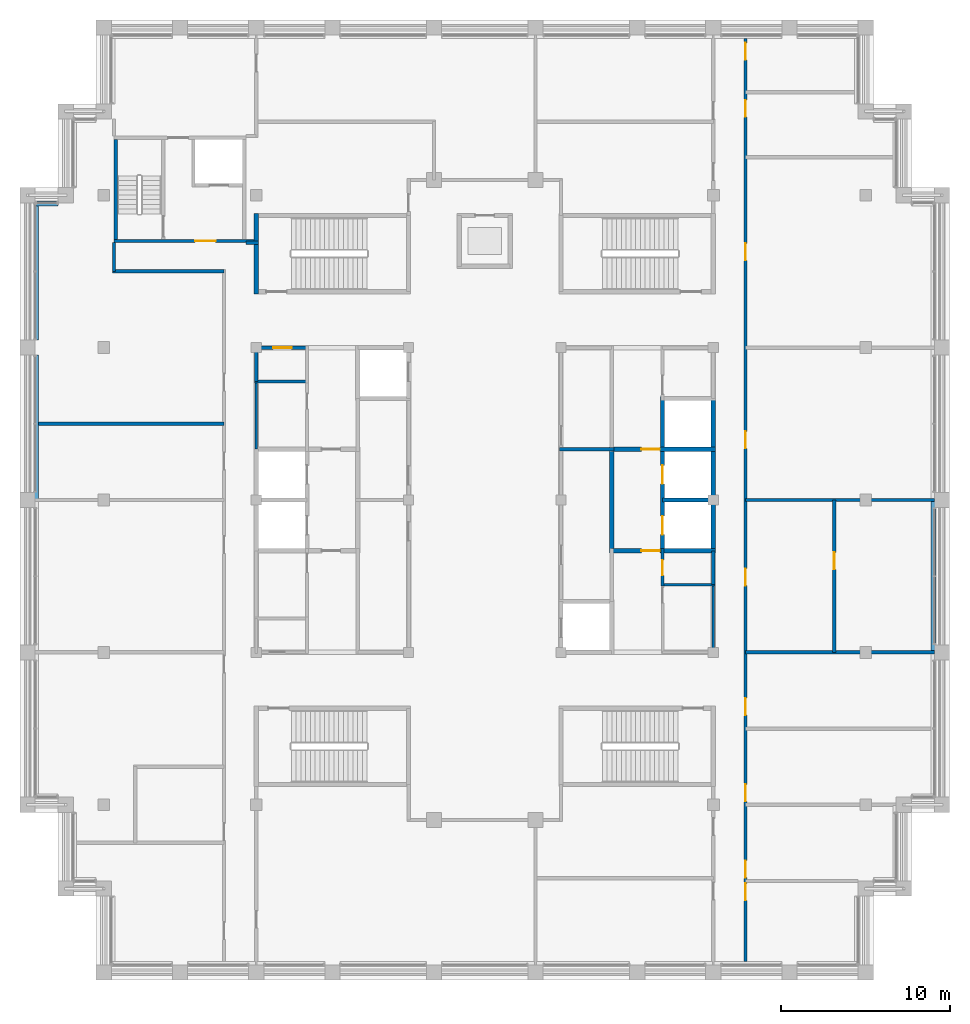
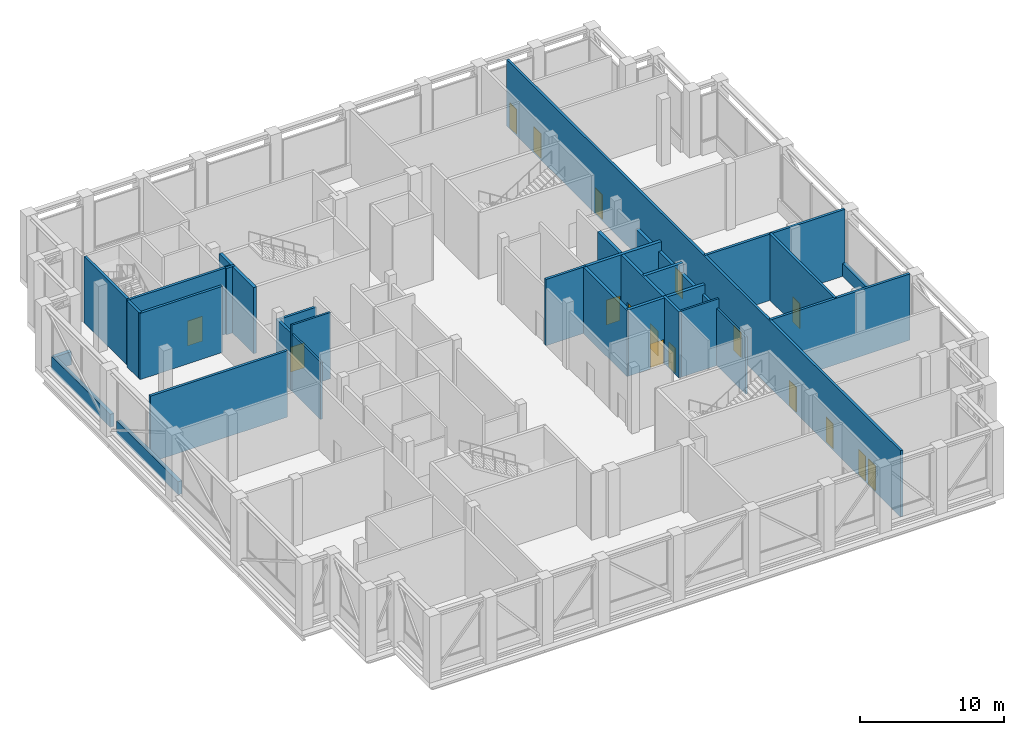
# One storey, part 13 of 17: 30 walls, 17 doors, 17 openings.
"""IFC4 building model written with IfcOpenShell, lengths in metres."""

from ifc_helpers import new_model, si_unit, direction, frame, frame_2d, origin, place, context, subcontext, project, spatial, rectangle, extrude, material, layer, layer_set, type_object, element, fill, save


model = new_model("IFC4")

# Units and contexts
model_context = context("Model", 3, precision=1e-05, world=origin(), true_north=direction((0.0, 1.0)))
body_context = subcontext(model_context, "Body", "Model", "MODEL_VIEW")
ifc_project = project(units=[si_unit("LENGTHUNIT", "METRE"), si_unit("AREAUNIT", "SQUARE_METRE"), si_unit("VOLUMEUNIT", "CUBIC_METRE"), si_unit("PLANEANGLEUNIT", "RADIAN"), si_unit("MASSUNIT", "GRAM", prefix="KILO")], contexts=[model_context])

# Site, building, storey
site_placement = place(None, origin())
site = spatial("IfcSite", under=ifc_project, at=site_placement, CompositionType="ELEMENT")
building_placement = place(site_placement, origin())
building = spatial("IfcBuilding", under=site, at=building_placement, Name="Corbelhall Arena Tower", CompositionType="ELEMENT")
storey_placement = place(building_placement, frame((0.0, 0.0, 350.0)))
storey = spatial("IfcBuildingStorey", under=building, at=storey_placement, Name="L77", CompositionType="ELEMENT", Elevation=350.0)

# Walls
ifc_material_1 = material(Name="Precast concrete C40/50 with granite facing", Category="masonry")
ifc_layer_1 = layer(ifc_material_1, 0.300048828125)
ifc_layer_set_1 = layer_set([ifc_layer_1], Name="EV-IW1 Infill panel 300")
wall_type_1 = type_object("IfcWallType", Name="EV-IW1 Infill panel 300", PredefinedType="SOLIDWALL", material=ifc_layer_set_1)
wall_1_placement = place(storey_placement, frame((-25.199951171875, 17.5, 0.0), z_axis=(0.0, 0.0, 1.0), x_axis=(-1.0, 0.0, 0.0)))
element("IfcWall", 1, at=wall_1_placement, inside=storey, type_object=wall_type_1, Name="Infill panel IW1", PredefinedType="SOLIDWALL", context=body_context, shape_type="SweptSolid", body=[
    extrude(rectangle(XDim=1.35009765625, YDim=0.300048828125, at=frame_2d((0.675048828125, 0.0))), origin(), (0.0, 0.0, 1.0), 1.10009765625),
])
wall_2_placement = place(storey_placement, frame((-26.5, 17.550048828125, 0.0), z_axis=(0.0, 0.0, 1.0), x_axis=(0.0, -1.0, 0.0)))
element("IfcWall", 2, at=wall_2_placement, inside=storey, type_object=wall_type_1, Name="Infill panel IW1", PredefinedType="SOLIDWALL", context=body_context, shape_type="SweptSolid", body=[
    extrude(rectangle(XDim=8.10009765625, YDim=0.300048828125, at=frame_2d((4.050048828125, 0.0))), origin(), (0.0, 0.0, 1.0), 1.10009765625),
])
wall_3_placement = place(storey_placement, frame((-26.5, 8.550048828125, 0.0), z_axis=(0.0, 0.0, 1.0), x_axis=(0.0, -1.0, 0.0)))
element("IfcWall", 3, at=wall_3_placement, inside=storey, type_object=wall_type_1, Name="Infill panel IW1", PredefinedType="SOLIDWALL", context=body_context, shape_type="SweptSolid", body=[
    extrude(rectangle(XDim=8.5, YDim=0.300048828125, at=frame_2d((4.25, 0.0))), origin(), (0.0, 0.0, 1.0), 1.10009765625),
])
wall_4_placement = place(storey_placement, frame((26.5, -8.949951171875, 0.0), z_axis=(0.0, 0.0, 1.0), x_axis=(0.0, 1.0, 0.0)))
element("IfcWall", 4, at=wall_4_placement, inside=storey, type_object=wall_type_1, Name="Infill panel IW1", PredefinedType="SOLIDWALL", context=body_context, shape_type="SweptSolid", body=[
    extrude(rectangle(XDim=8.89990234375, YDim=0.300048828125, at=frame_2d((4.449951171875, 0.0))), origin(), (0.0, 0.0, 1.0), 1.10009765625),
])
ifc_material_2 = material(Name="Gypsum board on steel stud, acoustic", Category="steel")
ifc_layer_2 = layer(ifc_material_2, 0.199951171875)
ifc_layer_set_2 = layer_set([ifc_layer_2], Name="IN-W-DM200")
wall_type_2 = type_object("IfcWallType", Name="IN-W-DM200", PredefinedType="PARTITIONING", material=ifc_layer_set_2)
wall_5_placement = place(storey_placement, frame((-26.35009765625, 4.5, 0.0), z_axis=(0.0, 0.0, 1.0), x_axis=(1.0, 0.0, 0.0)))
element("IfcWall", 5, at=wall_5_placement, inside=storey, type_object=wall_type_2, Name="Partition 002", PredefinedType="PARTITIONING", context=body_context, shape_type="SweptSolid", body=[
    extrude(rectangle(XDim=10.9501953125, YDim=0.199951171875, at=frame_2d((5.47509765625, 0.0))), origin(), (0.0, 0.0, 1.0), 5.599609375),
])
wall_6_placement = place(storey_placement, frame((-21.89990234375, 13.5, 0.0), z_axis=(0.0, 0.0, 1.0), x_axis=(0.0, 1.0, 0.0)))
element("IfcWall", 6, at=wall_6_placement, inside=storey, type_object=wall_type_2, Name="Partition 004", PredefinedType="PARTITIONING", context=body_context, shape_type="SweptSolid", body=[
    extrude(rectangle(XDim=1.699951171875, YDim=0.199951171875, at=frame_2d((0.85009765625, 0.0))), origin(), (0.0, 0.0, 1.0), 5.599609375),
])
wall_7_placement = place(storey_placement, frame((-15.39990234375, 13.5, 0.0), z_axis=(0.0, 0.0, 1.0), x_axis=(-1.0, 0.0, 0.0)))
element("IfcWall", 7, at=wall_7_placement, inside=storey, type_object=wall_type_2, Name="Partition 010", PredefinedType="PARTITIONING", context=body_context, shape_type="SweptSolid", body=[
    extrude(rectangle(XDim=6.60009765625, YDim=0.199951171875, at=frame_2d((3.300048828125, 0.0))), origin(), (0.0, 0.0, 1.0), 5.599609375),
])
wall_8_placement = place(storey_placement, frame((-14.10009765625, 15.199951171875, 0.0), z_axis=(0.0, 0.0, 1.0), x_axis=(1.0, 0.0, 0.0)))
element("IfcWall", 8, at=wall_8_placement, inside=storey, type_object=wall_type_2, Name="Partition 011", PredefinedType="PARTITIONING", context=body_context, shape_type="SweptSolid", body=[
    extrude(rectangle(XDim=0.72509765625, YDim=0.199951171875, at=frame_2d((0.362548828125, 0.0))), origin(), (0.0, 0.0, 1.0), 5.599609375),
])

# Wall, openings, doors
wall_9_placement = place(storey_placement, frame((15.39990234375, 27.25, 0.0), z_axis=(0.0, 0.0, 1.0), x_axis=(0.0, -1.0, 0.0)))
wall_9 = element("IfcWall", 9, at=wall_9_placement, inside=storey, type_object=wall_type_2, Name="Partition 030", PredefinedType="PARTITIONING", context=body_context, shape_type="SweptSolid", body=[
    extrude(rectangle(XDim=54.5, YDim=0.199951171875, at=frame_2d((27.25, 0.0))), origin(), (0.0, 0.0, 1.0), 5.599609375),
])
opening_1_placement = place(wall_9_placement, frame((23.199951171875, 0.0, 0.0)))
opening_1 = element("IfcOpeningElement", 10, at=opening_1_placement, cuts=wall_9, Name="Opening 31032", PredefinedType="OPENING", context=body_context, shape_type="SweptSolid", body=[
    extrude(rectangle(XDim=1.0, YDim=2.10009765625, at=frame_2d((0.5, 1.050048828125))), frame((0.0, 0.10009765625, 0.0), z_axis=(0.0, -1.0, 0.0), x_axis=(1.0, 0.0, 0.0)), (0.0, 0.0, 1.0), 0.199951171875),
])
opening_2_placement = place(wall_9_placement, frame((12.10009765625, 0.0, 0.0)))
opening_2 = element("IfcOpeningElement", 11, at=opening_2_placement, cuts=wall_9, Name="Opening 31033", PredefinedType="OPENING", context=body_context, shape_type="SweptSolid", body=[
    extrude(rectangle(XDim=1.0, YDim=2.10009765625, at=frame_2d((0.5, 1.050048828125))), frame((0.0, 0.10009765625, 0.0), z_axis=(0.0, -1.0, 0.0), x_axis=(1.0, 0.0, 0.0)), (0.0, 0.0, 1.0), 0.199951171875),
])
opening_3_placement = place(wall_9_placement, frame((3.625, 0.0, 0.0)))
opening_3 = element("IfcOpeningElement", 12, at=opening_3_placement, cuts=wall_9, Name="Opening 31034", PredefinedType="OPENING", context=body_context, shape_type="SweptSolid", body=[
    extrude(rectangle(XDim=1.0, YDim=2.10009765625, at=frame_2d((0.5, 1.050048828125))), frame((0.0, 0.10009765625, 0.0), z_axis=(0.0, -1.0, 0.0), x_axis=(1.0, 0.0, 0.0)), (0.0, 0.0, 1.0), 0.199951171875),
])
opening_4_placement = place(wall_9_placement, frame((0.25, 0.0, 0.0)))
opening_4 = element("IfcOpeningElement", 13, at=opening_4_placement, cuts=wall_9, Name="Opening 31035", PredefinedType="OPENING", context=body_context, shape_type="SweptSolid", body=[
    extrude(rectangle(XDim=1.0, YDim=2.10009765625, at=frame_2d((0.5, 1.050048828125))), frame((0.0, 0.10009765625, 0.0), z_axis=(0.0, -1.0, 0.0), x_axis=(1.0, 0.0, 0.0)), (0.0, 0.0, 1.0), 0.199951171875),
])
opening_5_placement = place(wall_9_placement, frame((49.89990234375, 0.0, 0.0)))
opening_5 = element("IfcOpeningElement", 14, at=opening_5_placement, cuts=wall_9, Name="Opening 31036", PredefinedType="OPENING", context=body_context, shape_type="SweptSolid", body=[
    extrude(rectangle(XDim=1.0, YDim=2.10009765625, at=frame_2d((0.5, 1.050048828125))), frame((0.0, 0.10009765625, 0.0), z_axis=(0.0, -1.0, 0.0), x_axis=(1.0, 0.0, 0.0)), (0.0, 0.0, 1.0), 0.199951171875),
])
opening_6_placement = place(wall_9_placement, frame((48.550048828125, 0.0, 0.0)))
opening_6 = element("IfcOpeningElement", 15, at=opening_6_placement, cuts=wall_9, Name="Opening 31037", PredefinedType="OPENING", context=body_context, shape_type="SweptSolid", body=[
    extrude(rectangle(XDim=1.0, YDim=2.10009765625, at=frame_2d((0.5, 1.050048828125))), frame((0.0, 0.10009765625, 0.0), z_axis=(0.0, -1.0, 0.0), x_axis=(1.0, 0.0, 0.0)), (0.0, 0.0, 1.0), 0.199951171875),
])
opening_7_placement = place(wall_9_placement, frame((44.050048828125, 0.0, 0.0)))
opening_7 = element("IfcOpeningElement", 16, at=opening_7_placement, cuts=wall_9, Name="Opening 31038", PredefinedType="OPENING", context=body_context, shape_type="SweptSolid", body=[
    extrude(rectangle(XDim=1.0, YDim=2.10009765625, at=frame_2d((0.5, 1.050048828125))), frame((0.0, 0.10009765625, 0.0), z_axis=(0.0, -1.0, 0.0), x_axis=(1.0, 0.0, 0.0)), (0.0, 0.0, 1.0), 0.199951171875),
])
opening_8_placement = place(wall_9_placement, frame((38.949951171875, 0.0, 0.0)))
opening_8 = element("IfcOpeningElement", 17, at=opening_8_placement, cuts=wall_9, Name="Opening 31039", PredefinedType="OPENING", context=body_context, shape_type="SweptSolid", body=[
    extrude(rectangle(XDim=1.0, YDim=2.10009765625, at=frame_2d((0.5, 1.050048828125))), frame((0.0, 0.10009765625, 0.0), z_axis=(0.0, -1.0, 0.0), x_axis=(1.0, 0.0, 0.0)), (0.0, 0.0, 1.0), 0.199951171875),
])
opening_9_placement = place(wall_9_placement, frame((31.300048828125, 0.0, 0.0)))
opening_9 = element("IfcOpeningElement", 18, at=opening_9_placement, cuts=wall_9, Name="Opening 31040", PredefinedType="OPENING", context=body_context, shape_type="SweptSolid", body=[
    extrude(rectangle(XDim=1.0, YDim=2.10009765625, at=frame_2d((0.5, 1.050048828125))), frame((0.0, 0.10009765625, 0.0), z_axis=(0.0, -1.0, 0.0), x_axis=(1.0, 0.0, 0.0)), (0.0, 0.0, 1.0), 0.199951171875),
])
ifc_material_3 = material(Name="Steel door set", Category="steel")
door_type_1 = type_object("IfcDoorType", Name="IN-D-SW100", OperationType="NOTDEFINED", PredefinedType="DOOR", material=ifc_material_3)
door_1_placement = place(opening_1_placement, origin())
door_1 = element("IfcDoor", 19, at=door_1_placement, inside=storey, type_object=door_type_1, Name="Door 032", OperationType="SINGLE_SWING_LEFT", OverallHeight=2.10009765625, OverallWidth=1.0, PredefinedType="DOOR", context=body_context, shape_type="SweptSolid", body=[
    extrude(rectangle(XDim=1.0, YDim=2.10009765625, at=frame_2d((0.5, 1.050048828125))), frame((0.0, 0.02490234375, 0.0), z_axis=(0.0, -1.0, 0.0), x_axis=(1.0, 0.0, 0.0)), (0.0, 0.0, 1.0), 0.050048828125),
])
fill(opening_1, door_1)
door_2_placement = place(opening_2_placement, origin())
door_2 = element("IfcDoor", 20, at=door_2_placement, inside=storey, type_object=door_type_1, Name="Door 033", OperationType="SINGLE_SWING_RIGHT", OverallHeight=2.10009765625, OverallWidth=1.0, PredefinedType="DOOR", context=body_context, shape_type="SweptSolid", body=[
    extrude(rectangle(XDim=1.0, YDim=2.10009765625, at=frame_2d((0.5, 1.050048828125))), frame((0.0, 0.02490234375, 0.0), z_axis=(0.0, -1.0, 0.0), x_axis=(1.0, 0.0, 0.0)), (0.0, 0.0, 1.0), 0.050048828125),
])
fill(opening_2, door_2)
door_3_placement = place(opening_3_placement, origin())
door_3 = element("IfcDoor", 21, at=door_3_placement, inside=storey, type_object=door_type_1, Name="Door 034", OperationType="SINGLE_SWING_LEFT", OverallHeight=2.10009765625, OverallWidth=1.0, PredefinedType="DOOR", context=body_context, shape_type="SweptSolid", body=[
    extrude(rectangle(XDim=1.0, YDim=2.10009765625, at=frame_2d((0.5, 1.050048828125))), frame((0.0, 0.02490234375, 0.0), z_axis=(0.0, -1.0, 0.0), x_axis=(1.0, 0.0, 0.0)), (0.0, 0.0, 1.0), 0.050048828125),
])
fill(opening_3, door_3)
door_4_placement = place(opening_4_placement, origin())
door_4 = element("IfcDoor", 22, at=door_4_placement, inside=storey, type_object=door_type_1, Name="Door 035", OperationType="SINGLE_SWING_RIGHT", OverallHeight=2.10009765625, OverallWidth=1.0, PredefinedType="DOOR", context=body_context, shape_type="SweptSolid", body=[
    extrude(rectangle(XDim=1.0, YDim=2.10009765625, at=frame_2d((0.5, 1.050048828125))), frame((0.0, 0.02490234375, 0.0), z_axis=(0.0, -1.0, 0.0), x_axis=(1.0, 0.0, 0.0)), (0.0, 0.0, 1.0), 0.050048828125),
])
fill(opening_4, door_4)
door_5_placement = place(opening_5_placement, origin())
door_5 = element("IfcDoor", 23, at=door_5_placement, inside=storey, type_object=door_type_1, Name="Door 036", OperationType="SINGLE_SWING_LEFT", OverallHeight=2.10009765625, OverallWidth=1.0, PredefinedType="DOOR", context=body_context, shape_type="SweptSolid", body=[
    extrude(rectangle(XDim=1.0, YDim=2.10009765625, at=frame_2d((0.5, 1.050048828125))), frame((0.0, 0.02490234375, 0.0), z_axis=(0.0, -1.0, 0.0), x_axis=(1.0, 0.0, 0.0)), (0.0, 0.0, 1.0), 0.050048828125),
])
fill(opening_5, door_5)
door_6_placement = place(opening_6_placement, origin())
door_6 = element("IfcDoor", 24, at=door_6_placement, inside=storey, type_object=door_type_1, Name="Door 037", OperationType="SINGLE_SWING_RIGHT", OverallHeight=2.10009765625, OverallWidth=1.0, PredefinedType="DOOR", context=body_context, shape_type="SweptSolid", body=[
    extrude(rectangle(XDim=1.0, YDim=2.10009765625, at=frame_2d((0.5, 1.050048828125))), frame((0.0, 0.02490234375, 0.0), z_axis=(0.0, -1.0, 0.0), x_axis=(1.0, 0.0, 0.0)), (0.0, 0.0, 1.0), 0.050048828125),
])
fill(opening_6, door_6)
door_7_placement = place(opening_7_placement, origin())
door_7 = element("IfcDoor", 25, at=door_7_placement, inside=storey, type_object=door_type_1, Name="Door 038", OperationType="SINGLE_SWING_LEFT", OverallHeight=2.10009765625, OverallWidth=1.0, PredefinedType="DOOR", context=body_context, shape_type="SweptSolid", body=[
    extrude(rectangle(XDim=1.0, YDim=2.10009765625, at=frame_2d((0.5, 1.050048828125))), frame((0.0, 0.02490234375, 0.0), z_axis=(0.0, -1.0, 0.0), x_axis=(1.0, 0.0, 0.0)), (0.0, 0.0, 1.0), 0.050048828125),
])
fill(opening_7, door_7)
door_8_placement = place(opening_8_placement, origin())
door_8 = element("IfcDoor", 26, at=door_8_placement, inside=storey, type_object=door_type_1, Name="Door 039", OperationType="SINGLE_SWING_RIGHT", OverallHeight=2.10009765625, OverallWidth=1.0, PredefinedType="DOOR", context=body_context, shape_type="SweptSolid", body=[
    extrude(rectangle(XDim=1.0, YDim=2.10009765625, at=frame_2d((0.5, 1.050048828125))), frame((0.0, 0.02490234375, 0.0), z_axis=(0.0, -1.0, 0.0), x_axis=(1.0, 0.0, 0.0)), (0.0, 0.0, 1.0), 0.050048828125),
])
fill(opening_8, door_8)
door_9_placement = place(opening_9_placement, origin())
door_9 = element("IfcDoor", 27, at=door_9_placement, inside=storey, type_object=door_type_1, Name="Door 040", OperationType="SINGLE_SWING_LEFT", OverallHeight=2.10009765625, OverallWidth=1.0, PredefinedType="DOOR", context=body_context, shape_type="SweptSolid", body=[
    extrude(rectangle(XDim=1.0, YDim=2.10009765625, at=frame_2d((0.5, 1.050048828125))), frame((0.0, 0.02490234375, 0.0), z_axis=(0.0, -1.0, 0.0), x_axis=(1.0, 0.0, 0.0)), (0.0, 0.0, 1.0), 0.050048828125),
])
fill(opening_9, door_9)

# Wall
wall_10_placement = place(storey_placement, frame((15.39990234375, -9.0, 0.0), z_axis=(0.0, 0.0, 1.0), x_axis=(1.0, 0.0, 0.0)))
element("IfcWall", 28, at=wall_10_placement, inside=storey, type_object=wall_type_2, Name="Partition 033", PredefinedType="PARTITIONING", context=body_context, shape_type="SweptSolid", body=[
    extrude(rectangle(XDim=11.150146484375, YDim=0.199951171875, at=frame_2d((5.5751953125, 0.0))), origin(), (0.0, 0.0, 1.0), 5.599609375),
])

# Wall, opening, door
wall_11_placement = place(storey_placement, frame((20.64990234375, 0.0, 0.0), z_axis=(0.0, 0.0, 1.0), x_axis=(0.0, -1.0, 0.0)))
wall_11 = element("IfcWall", 29, at=wall_11_placement, inside=storey, type_object=wall_type_2, Name="Partition 037", PredefinedType="PARTITIONING", context=body_context, shape_type="SweptSolid", body=[
    extrude(rectangle(XDim=9.0, YDim=0.199951171875, at=frame_2d((4.5, 0.0))), origin(), (0.0, 0.0, 1.0), 5.599609375),
])
opening_10_placement = place(wall_11_placement, frame((3.10009765625, 0.0, 0.0)))
opening_10 = element("IfcOpeningElement", 30, at=opening_10_placement, cuts=wall_11, Name="Opening 31041", PredefinedType="OPENING", context=body_context, shape_type="SweptSolid", body=[
    extrude(rectangle(XDim=1.0, YDim=2.10009765625, at=frame_2d((0.5, 1.050048828125))), frame((0.0, 0.10009765625, 0.0), z_axis=(0.0, -1.0, 0.0), x_axis=(1.0, 0.0, 0.0)), (0.0, 0.0, 1.0), 0.199951171875),
])
door_10_placement = place(opening_10_placement, origin())
door_10 = element("IfcDoor", 31, at=door_10_placement, inside=storey, type_object=door_type_1, Name="Door 041", OperationType="SINGLE_SWING_RIGHT", OverallHeight=2.10009765625, OverallWidth=1.0, PredefinedType="DOOR", context=body_context, shape_type="SweptSolid", body=[
    extrude(rectangle(XDim=1.0, YDim=2.10009765625, at=frame_2d((0.5, 1.050048828125))), frame((0.0, 0.02490234375, 0.0), z_axis=(0.0, -1.0, 0.0), x_axis=(1.0, 0.0, 0.0)), (0.0, 0.0, 1.0), 0.050048828125),
])
fill(opening_10, door_10)

# Wall
wall_12_placement = place(storey_placement, frame((26.550048828125, 0.0, 0.0), z_axis=(0.0, 0.0, 1.0), x_axis=(-1.0, 0.0, 0.0)))
element("IfcWall", 32, at=wall_12_placement, inside=storey, type_object=wall_type_2, Name="Partition 038", PredefinedType="PARTITIONING", context=body_context, shape_type="SweptSolid", body=[
    extrude(rectangle(XDim=11.150146484375, YDim=0.199951171875, at=frame_2d((5.5751953125, 0.0))), origin(), (0.0, 0.0, 1.0), 5.599609375),
])

# Wall, opening, door
ifc_material_4 = material(Name="Concrete C40/50", Category="concrete")
ifc_layer_3 = layer(ifc_material_4, 0.199951171875)
ifc_layer_set_3 = layer_set([ifc_layer_3], Name="IN-W-EAR200")
wall_type_3 = type_object("IfcWallType", Name="IN-W-EAR200", PredefinedType="SOLIDWALL", material=ifc_layer_set_3)
wall_13_placement = place(storey_placement, frame((-21.89990234375, 15.300048828125, 0.0), z_axis=(0.0, 0.0, 1.0), x_axis=(1.0, 0.0, 0.0)))
wall_13 = element("IfcWall", 33, at=wall_13_placement, inside=storey, type_object=wall_type_3, Name="Fire service turret wall south", PredefinedType="SOLIDWALL", context=body_context, shape_type="SweptSolid", body=[
    extrude(rectangle(XDim=8.27490234375, YDim=0.199951171875, at=frame_2d((4.137451171875, 0.0))), origin(), (0.0, 0.0, 1.0), 5.599609375),
])
opening_11_placement = place(wall_13_placement, frame((4.800048828125, 0.0, 0.0)))
opening_11 = element("IfcOpeningElement", 34, at=opening_11_placement, cuts=wall_13, Name="Opening E312", PredefinedType="OPENING", context=body_context, shape_type="SweptSolid", body=[
    extrude(rectangle(XDim=1.199951171875, YDim=2.10009765625, at=frame_2d((0.60009765625, 1.050048828125))), frame((0.0, 0.10009765625, 0.0), z_axis=(0.0, -1.0, 0.0), x_axis=(1.0, 0.0, 0.0)), (0.0, 0.0, 1.0), 0.199951171875),
])
door_type_2 = type_object("IfcDoorType", Name="IN-D-ST120", OperationType="NOTDEFINED", PredefinedType="DOOR", material=ifc_material_3)
door_11_placement = place(opening_11_placement, origin())
door_11 = element("IfcDoor", 35, at=door_11_placement, inside=storey, type_object=door_type_2, Name="Door from fire service lift lobby to circulation", OperationType="SINGLE_SWING_RIGHT", OverallHeight=2.10009765625, OverallWidth=1.199951171875, PredefinedType="DOOR", context=body_context, shape_type="SweptSolid", body=[
    extrude(rectangle(XDim=1.199951171875, YDim=2.10009765625, at=frame_2d((0.60009765625, 1.050048828125))), frame((0.0, 0.02490234375, 0.0), z_axis=(0.0, -1.0, 0.0), x_axis=(1.0, 0.0, 0.0)), (0.0, 0.0, 1.0), 0.050048828125),
])
fill(opening_11, door_11)

# Walls
wall_14_placement = place(storey_placement, frame((-21.800048828125, 15.39990234375, 0.0), z_axis=(0.0, 0.0, 1.0), x_axis=(0.0, 1.0, 0.0)))
element("IfcWall", 36, at=wall_14_placement, inside=storey, type_object=wall_type_3, Name="Fire service turret wall west", PredefinedType="SOLIDWALL", context=body_context, shape_type="SweptSolid", body=[
    extrude(rectangle(XDim=5.900146484375, YDim=0.199951171875, at=frame_2d((2.9501953125, 0.0))), origin(), (0.0, 0.0, 1.0), 5.599609375),
])
ifc_material_5 = material(Name="Concrete block wall", Category="concrete")
ifc_layer_4 = layer(ifc_material_5, 0.199951171875)
ifc_layer_set_4 = layer_set([ifc_layer_4], Name="IN-W-RS200")
wall_type_4 = type_object("IfcWallType", Name="IN-W-RS200", PredefinedType="SOLIDWALL", material=ifc_layer_set_4)
wall_15_placement = place(storey_placement, frame((4.39990234375, 3.0, 0.0), z_axis=(0.0, 0.0, 1.0), x_axis=(1.0, 0.0, 0.0)))
element("IfcWall", 37, at=wall_15_placement, inside=storey, type_object=wall_type_4, Name="Partition 049", PredefinedType="SOLIDWALL", context=body_context, shape_type="SweptSolid", body=[
    extrude(rectangle(XDim=3.22509765625, YDim=0.199951171875, at=frame_2d((1.612548828125, 0.0))), origin(), (0.0, 0.0, 1.0), 5.599609375),
])

# Wall, opening, door
wall_16_placement = place(storey_placement, frame((10.5, -2.875, 0.0), z_axis=(0.0, 0.0, 1.0), x_axis=(0.0, -1.0, 0.0)))
wall_16 = element("IfcWall", 38, at=wall_16_placement, inside=storey, type_object=wall_type_4, Name="Partition 054", PredefinedType="SOLIDWALL", context=body_context, shape_type="SweptSolid", body=[
    extrude(rectangle(XDim=2.199951171875, YDim=0.199951171875, at=frame_2d((1.10009765625, 0.0))), origin(), (0.0, 0.0, 1.0), 5.599609375),
])
opening_12_placement = place(wall_16_placement, frame((0.669921875, 0.0, 0.0)))
opening_12 = element("IfcOpeningElement", 39, at=opening_12_placement, cuts=wall_16, Name="Opening 31042", PredefinedType="OPENING", context=body_context, shape_type="SweptSolid", body=[
    extrude(rectangle(XDim=0.89990234375, YDim=2.10009765625, at=frame_2d((0.449951171875, 1.050048828125))), frame((0.0, 0.10009765625, 0.0), z_axis=(0.0, -1.0, 0.0), x_axis=(1.0, 0.0, 0.0)), (0.0, 0.0, 1.0), 0.199951171875),
])
ifc_material_6 = material(Name="Timber door set", Category="wood")
door_type_3 = type_object("IfcDoorType", Name="IN-D-SW90", OperationType="NOTDEFINED", PredefinedType="DOOR", material=ifc_material_6)
door_12_placement = place(opening_12_placement, origin())
door_12 = element("IfcDoor", 40, at=door_12_placement, inside=storey, type_object=door_type_3, Name="Door 042", OperationType="SINGLE_SWING_LEFT", OverallHeight=2.10009765625, OverallWidth=0.89990234375, PredefinedType="DOOR", context=body_context, shape_type="SweptSolid", body=[
    extrude(rectangle(XDim=0.89990234375, YDim=2.10009765625, at=frame_2d((0.449951171875, 1.050048828125))), frame((0.0, 0.02490234375, 0.0), z_axis=(0.0, -1.0, 0.0), x_axis=(1.0, 0.0, 0.0)), (0.0, 0.0, 1.0), 0.050048828125),
])
fill(opening_12, door_12)

# Wall
ifc_layer_5 = layer(ifc_material_5, 0.199951171875)
ifc_layer_set_5 = layer_set([ifc_layer_5], Name="IN-W-RS200 under beam 762 mm")
wall_type_5 = type_object("IfcWallType", Name="IN-W-RS200 under beam 762 mm", PredefinedType="SOLIDWALL", material=ifc_layer_set_5)
wall_17_placement = place(storey_placement, frame((-13.5, 7.0, 0.0), z_axis=(0.0, 0.0, 1.0), x_axis=(0.0, 1.0, 0.0)))
element("IfcWall", 41, at=wall_17_placement, inside=storey, type_object=wall_type_5, Name="Partition 040", PredefinedType="SOLIDWALL", context=body_context, shape_type="SweptSolid", body=[
    extrude(rectangle(XDim=2.10009765625, YDim=0.199951171875, at=frame_2d((1.050048828125, 0.0))), origin(), (0.0, 0.0, 1.0), 4.837646484375),
])

# Wall, opening, door
wall_18_placement = place(storey_placement, frame((-13.5, 9.0, 0.0), z_axis=(0.0, 0.0, 1.0), x_axis=(1.0, 0.0, 0.0)))
wall_18 = element("IfcWall", 42, at=wall_18_placement, inside=storey, type_object=wall_type_5, Name="Partition 041", PredefinedType="SOLIDWALL", context=body_context, shape_type="SweptSolid", body=[
    extrude(rectangle(XDim=3.0, YDim=0.199951171875, at=frame_2d((1.5, 0.0))), origin(), (0.0, 0.0, 1.0), 4.837646484375),
])
opening_13_placement = place(wall_18_placement, frame((1.0, 0.0, 0.0)))
opening_13 = element("IfcOpeningElement", 43, at=opening_13_placement, cuts=wall_18, Name="Opening 31008", PredefinedType="OPENING", context=body_context, shape_type="SweptSolid", body=[
    extrude(rectangle(XDim=1.10009765625, YDim=2.10009765625, at=frame_2d((0.550048828125, 1.050048828125))), frame((0.0, 0.10009765625, 0.0), z_axis=(0.0, -1.0, 0.0), x_axis=(1.0, 0.0, 0.0)), (0.0, 0.0, 1.0), 0.199951171875),
])
door_type_4 = type_object("IfcDoorType", Name="IN-D-FD110", OperationType="NOTDEFINED", PredefinedType="DOOR", material=ifc_material_3)
door_13_placement = place(opening_13_placement, origin())
door_13 = element("IfcDoor", 44, at=door_13_placement, inside=storey, type_object=door_type_4, Name="Door 008", OperationType="SINGLE_SWING_LEFT", OverallHeight=2.10009765625, OverallWidth=1.10009765625, PredefinedType="DOOR", context=body_context, shape_type="SweptSolid", body=[
    extrude(rectangle(XDim=1.10009765625, YDim=2.10009765625, at=frame_2d((0.550048828125, 1.050048828125))), frame((0.0, 0.02490234375, 0.0), z_axis=(0.0, -1.0, 0.0), x_axis=(1.0, 0.0, 0.0)), (0.0, 0.0, 1.0), 0.050048828125),
])
fill(opening_13, door_13)

# Wall
wall_19_placement = place(storey_placement, frame((13.5, -3.0, 0.0), z_axis=(0.0, 0.0, 1.0), x_axis=(0.0, -1.0, 0.0)))
element("IfcWall", 45, at=wall_19_placement, inside=storey, type_object=wall_type_5, Name="Partition 057", PredefinedType="SOLIDWALL", context=body_context, shape_type="SweptSolid", body=[
    extrude(rectangle(XDim=2.0, YDim=0.199951171875, at=frame_2d((1.0, 0.0))), origin(), (0.0, 0.0, 1.0), 4.837646484375),
])

# Wall, opening, door
ifc_layer_6 = layer(ifc_material_4, 0.25)
ifc_layer_set_6 = layer_set([ifc_layer_6], Name="IN-W-SH250")
wall_type_6 = type_object("IfcWallType", Name="IN-W-SH250", PredefinedType="SOLIDWALL", material=ifc_layer_set_6)
wall_20_placement = place(storey_placement, frame((7.5, -3.0, 0.0), z_axis=(0.0, 0.0, 1.0), x_axis=(1.0, 0.0, 0.0)))
wall_20 = element("IfcWall", 46, at=wall_20_placement, inside=storey, type_object=wall_type_6, Name="Shaft wall 077", PredefinedType="SOLIDWALL", context=body_context, shape_type="SweptSolid", body=[
    extrude(rectangle(XDim=6.125, YDim=0.25, at=frame_2d((3.0625, 0.0))), origin(), (0.0, 0.0, 1.0), 5.599609375),
])
opening_14_placement = place(wall_20_placement, frame((1.75, 0.0, 0.0)))
opening_14 = element("IfcOpeningElement", 47, at=opening_14_placement, cuts=wall_20, Name="Opening 31011", PredefinedType="OPENING", context=body_context, shape_type="SweptSolid", body=[
    extrude(rectangle(XDim=1.10009765625, YDim=2.10009765625, at=frame_2d((0.550048828125, 1.050048828125))), frame((0.0, 0.125, 0.0), z_axis=(0.0, -1.0, 0.0), x_axis=(1.0, 0.0, 0.0)), (0.0, 0.0, 1.0), 0.25),
])
door_14_placement = place(opening_14_placement, origin())
door_14 = element("IfcDoor", 48, at=door_14_placement, inside=storey, type_object=door_type_4, Name="Door 011", OperationType="SINGLE_SWING_RIGHT", OverallHeight=2.10009765625, OverallWidth=1.10009765625, PredefinedType="DOOR", context=body_context, shape_type="SweptSolid", body=[
    extrude(rectangle(XDim=1.10009765625, YDim=2.10009765625, at=frame_2d((0.550048828125, 1.050048828125))), frame((0.0, 0.02490234375, 0.0), z_axis=(0.0, -1.0, 0.0), x_axis=(1.0, 0.0, 0.0)), (0.0, 0.0, 1.0), 0.050048828125),
])
fill(opening_14, door_14)

wall_21_placement = place(storey_placement, frame((7.5, 3.0, 0.0), z_axis=(0.0, 0.0, 1.0), x_axis=(1.0, 0.0, 0.0)))
wall_21 = element("IfcWall", 49, at=wall_21_placement, inside=storey, type_object=wall_type_6, Name="Shaft wall 078", PredefinedType="SOLIDWALL", context=body_context, shape_type="SweptSolid", body=[
    extrude(rectangle(XDim=6.125, YDim=0.25, at=frame_2d((3.0625, 0.0))), origin(), (0.0, 0.0, 1.0), 5.599609375),
])
opening_15_placement = place(wall_21_placement, frame((1.75, 0.0, 0.0)))
opening_15 = element("IfcOpeningElement", 50, at=opening_15_placement, cuts=wall_21, Name="Opening 31012", PredefinedType="OPENING", context=body_context, shape_type="SweptSolid", body=[
    extrude(rectangle(XDim=1.10009765625, YDim=2.10009765625, at=frame_2d((0.550048828125, 1.050048828125))), frame((0.0, 0.125, 0.0), z_axis=(0.0, -1.0, 0.0), x_axis=(1.0, 0.0, 0.0)), (0.0, 0.0, 1.0), 0.25),
])
door_15_placement = place(opening_15_placement, origin())
door_15 = element("IfcDoor", 51, at=door_15_placement, inside=storey, type_object=door_type_4, Name="Door 012", OperationType="SINGLE_SWING_LEFT", OverallHeight=2.10009765625, OverallWidth=1.10009765625, PredefinedType="DOOR", context=body_context, shape_type="SweptSolid", body=[
    extrude(rectangle(XDim=1.10009765625, YDim=2.10009765625, at=frame_2d((0.550048828125, 1.050048828125))), frame((0.0, 0.02490234375, 0.0), z_axis=(0.0, -1.0, 0.0), x_axis=(1.0, 0.0, 0.0)), (0.0, 0.0, 1.0), 0.050048828125),
])
fill(opening_15, door_15)

# Walls
wall_22_placement = place(storey_placement, frame((7.5, 3.125, 0.0), z_axis=(0.0, 0.0, 1.0), x_axis=(0.0, -1.0, 0.0)))
element("IfcWall", 52, at=wall_22_placement, inside=storey, type_object=wall_type_6, Name="Shaft wall 079", PredefinedType="SOLIDWALL", context=body_context, shape_type="SweptSolid", body=[
    extrude(rectangle(XDim=6.25, YDim=0.25, at=frame_2d((3.125, 0.0))), origin(), (0.0, 0.0, 1.0), 5.599609375),
])
wall_23_placement = place(storey_placement, frame((10.5, 0.0, 0.0), z_axis=(0.0, 0.0, 1.0), x_axis=(1.0, 0.0, 0.0)))
element("IfcWall", 53, at=wall_23_placement, inside=storey, type_object=wall_type_6, Name="Shaft wall 080", PredefinedType="SOLIDWALL", context=body_context, shape_type="SweptSolid", body=[
    extrude(rectangle(XDim=3.125, YDim=0.25, at=frame_2d((1.5625, 0.0))), origin(), (0.0, 0.0, 1.0), 5.599609375),
])

# Wall, openings, doors
wall_24_placement = place(storey_placement, frame((10.5, 6.125, 0.0), z_axis=(0.0, 0.0, 1.0), x_axis=(0.0, -1.0, 0.0)))
wall_24 = element("IfcWall", 54, at=wall_24_placement, inside=storey, type_object=wall_type_6, Name="Shaft wall 081", PredefinedType="SOLIDWALL", context=body_context, shape_type="SweptSolid", body=[
    extrude(rectangle(XDim=9.25, YDim=0.25, at=frame_2d((4.625, 0.0))), origin(), (0.0, 0.0, 1.0), 5.599609375),
])
opening_16_placement = place(wall_24_placement, frame((7.074951171875, 0.0, 0.0)))
opening_16 = element("IfcOpeningElement", 55, at=opening_16_placement, cuts=wall_24, Name="Opening LD", PredefinedType="OPENING", context=body_context, shape_type="SweptSolid", body=[
    extrude(rectangle(XDim=1.10009765625, YDim=2.10009765625, at=frame_2d((0.550048828125, 1.050048828125))), frame((0.0, 0.125, 0.0), z_axis=(0.0, -1.0, 0.0), x_axis=(1.0, 0.0, 0.0)), (0.0, 0.0, 1.0), 0.25),
])
opening_17_placement = place(wall_24_placement, frame((4.074951171875, 0.0, 0.0)))
opening_17 = element("IfcOpeningElement", 56, at=opening_17_placement, cuts=wall_24, Name="Opening LD", PredefinedType="OPENING", context=body_context, shape_type="SweptSolid", body=[
    extrude(rectangle(XDim=1.10009765625, YDim=2.10009765625, at=frame_2d((0.550048828125, 1.050048828125))), frame((0.0, 0.125, 0.0), z_axis=(0.0, -1.0, 0.0), x_axis=(1.0, 0.0, 0.0)), (0.0, 0.0, 1.0), 0.25),
])
door_type_5 = type_object("IfcDoorType", Name="IN-D-LD110", OperationType="NOTDEFINED", PredefinedType="DOOR", material=ifc_material_3)
door_16_placement = place(opening_16_placement, origin())
door_16 = element("IfcDoor", 57, at=door_16_placement, inside=storey, type_object=door_type_5, Name="Landing door E3", OperationType="SLIDING_TO_LEFT", OverallHeight=2.10009765625, OverallWidth=1.10009765625, PredefinedType="DOOR", context=body_context, shape_type="SweptSolid", body=[
    extrude(rectangle(XDim=1.10009765625, YDim=2.10009765625, at=frame_2d((0.550048828125, 1.050048828125))), frame((0.0, 0.02490234375, 0.0), z_axis=(0.0, -1.0, 0.0), x_axis=(1.0, 0.0, 0.0)), (0.0, 0.0, 1.0), 0.050048828125),
])
fill(opening_16, door_16)
door_17_placement = place(opening_17_placement, origin())
door_17 = element("IfcDoor", 58, at=door_17_placement, inside=storey, type_object=door_type_5, Name="Landing door E4", OperationType="SLIDING_TO_LEFT", OverallHeight=2.10009765625, OverallWidth=1.10009765625, PredefinedType="DOOR", context=body_context, shape_type="SweptSolid", body=[
    extrude(rectangle(XDim=1.10009765625, YDim=2.10009765625, at=frame_2d((0.550048828125, 1.050048828125))), frame((0.0, 0.02490234375, 0.0), z_axis=(0.0, -1.0, 0.0), x_axis=(1.0, 0.0, 0.0)), (0.0, 0.0, 1.0), 0.050048828125),
])
fill(opening_17, door_17)

# Walls
ifc_layer_7 = layer(ifc_material_4, 0.25)
ifc_layer_set_7 = layer_set([ifc_layer_7], Name="IN-W-SH250 under beam 762 mm")
wall_type_7 = type_object("IfcWallType", Name="IN-W-SH250 under beam 762 mm", PredefinedType="SOLIDWALL", material=ifc_layer_set_7)
wall_25_placement = place(storey_placement, frame((13.5, 6.0, 0.0), z_axis=(0.0, 0.0, 1.0), x_axis=(0.0, -1.0, 0.0)))
element("IfcWall", 59, at=wall_25_placement, inside=storey, type_object=wall_type_7, Name="Shaft wall 083", PredefinedType="SOLIDWALL", context=body_context, shape_type="SweptSolid", body=[
    extrude(rectangle(XDim=9.0, YDim=0.25, at=frame_2d((4.5, 0.0))), origin(), (0.0, 0.0, 1.0), 4.837646484375),
])
ifc_layer_8 = layer(ifc_material_4, 0.25)
ifc_layer_set_8 = layer_set([ifc_layer_8], Name="IN-W-ST250")
wall_type_8 = type_object("IfcWallType", Name="IN-W-ST250", PredefinedType="SOLIDWALL", material=ifc_layer_set_8)
wall_26_placement = place(storey_placement, frame((-13.5, 12.175048828125, 0.0), z_axis=(0.0, 0.0, 1.0), x_axis=(0.0, 1.0, 0.0)))
element("IfcWall", 60, at=wall_26_placement, inside=storey, type_object=wall_type_8, Name="Shaft wall 086", PredefinedType="SOLIDWALL", context=body_context, shape_type="SweptSolid", body=[
    extrude(rectangle(XDim=4.75, YDim=0.25, at=frame_2d((2.375, 0.0))), origin(), (0.0, 0.0, 1.0), 5.599609375),
])
ifc_material_7 = material(Name="Gypsum board on steel stud, moisture resistant", Category="steel")
ifc_layer_9 = layer(ifc_material_7, 0.14990234375)
ifc_layer_set_9 = layer_set([ifc_layer_9], Name="IN-W-WC150")
wall_type_9 = type_object("IfcWallType", Name="IN-W-WC150", PredefinedType="PARTITIONING", material=ifc_layer_set_9)
for number, where, z_axis, x_axis, name in (
    (61, (-13.60009765625, 7.0, 0.0), (0.0, 0.0, 1.0), (1.0, 0.0, 0.0), "Partition 101"),
    (62, (10.5, -5.0, 0.0), (0.0, 0.0, 1.0), (1.0, 0.0, 0.0), "Partition 107"),
):
    element("IfcWall", number, at=place(storey_placement, frame(where, z_axis=z_axis, x_axis=x_axis)), inside=storey, type_object=wall_type_9, Name=name, PredefinedType="PARTITIONING", context=body_context, shape_type="SweptSolid", body=[
        extrude(rectangle(XDim=3.10009765625, YDim=0.14990234375, at=frame_2d((1.550048828125, 0.0))), origin(), (0.0, 0.0, 1.0), 5.599609375),
    ])
ifc_layer_10 = layer(ifc_material_7, 0.14990234375)
ifc_layer_set_10 = layer_set([ifc_layer_10], Name="IN-W-WC150 under beam 762 mm")
wall_type_10 = type_object("IfcWallType", Name="IN-W-WC150 under beam 762 mm", PredefinedType="PARTITIONING", material=ifc_layer_set_10)
wall_27_placement = place(storey_placement, frame((-13.5, 3.0, 0.0), z_axis=(0.0, 0.0, 1.0), x_axis=(0.0, 1.0, 0.0)))
element("IfcWall", 63, at=wall_27_placement, inside=storey, type_object=wall_type_10, Name="Partition 103", PredefinedType="PARTITIONING", context=body_context, shape_type="SweptSolid", body=[
    extrude(rectangle(XDim=4.0, YDim=0.14990234375, at=frame_2d((2.0, 0.0))), origin(), (0.0, 0.0, 1.0), 4.837646484375),
])
wall_28_placement = place(storey_placement, frame((13.5, -5.0, 0.0), z_axis=(0.0, 0.0, 1.0), x_axis=(0.0, -1.0, 0.0)))
element("IfcWall", 64, at=wall_28_placement, inside=storey, type_object=wall_type_10, Name="Partition 110", PredefinedType="PARTITIONING", context=body_context, shape_type="SweptSolid", body=[
    extrude(rectangle(XDim=4.074951171875, YDim=0.14990234375, at=frame_2d((2.03759765625, 0.0))), origin(), (0.0, 0.0, 1.0), 4.837646484375),
])

save(model, "model.ifc")
